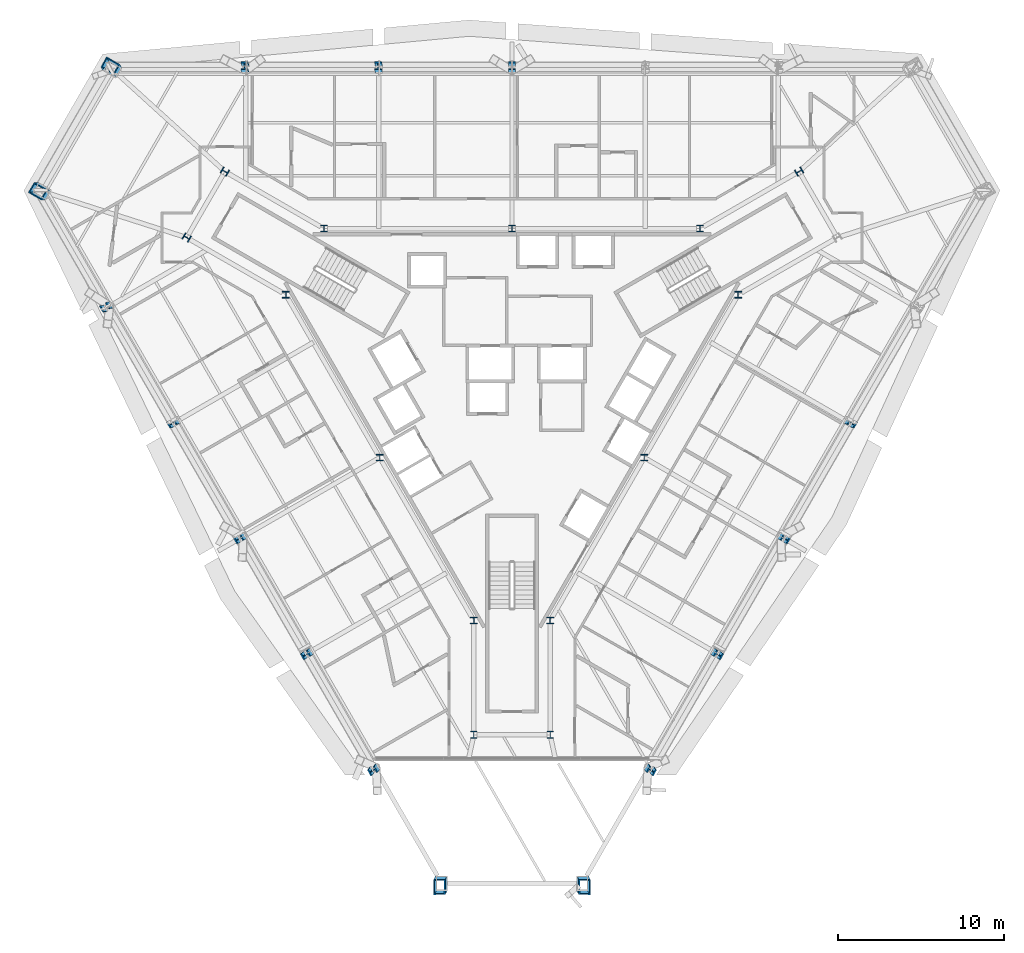
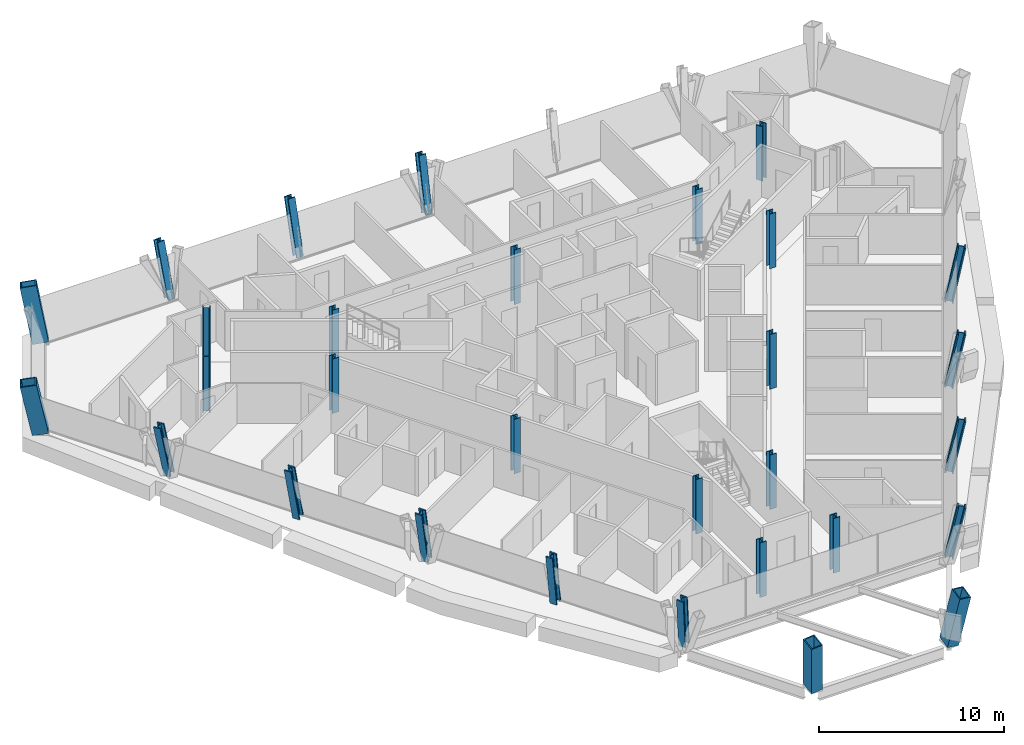
# One storey, part 1 of 15: 30 columns.
"""IFC4 building model written with IfcOpenShell, lengths in metres."""

from ifc_helpers import new_model, si_unit, direction, frame, origin, origin_2d, place, context, subcontext, project, spatial, hollow_rectangle, i_section, extrude, material, material_profile, profile_set, type_object, element, save


model = new_model("IFC4")

# Units and contexts
model_context = context("Model", 3, precision=1e-05, world=origin(), true_north=direction((0.0, 1.0)))
body_context = subcontext(model_context, "Body", "Model", "MODEL_VIEW")
ifc_project = project(units=[si_unit("LENGTHUNIT", "METRE"), si_unit("AREAUNIT", "SQUARE_METRE"), si_unit("VOLUMEUNIT", "CUBIC_METRE"), si_unit("PLANEANGLEUNIT", "RADIAN"), si_unit("MASSUNIT", "GRAM", prefix="KILO")], contexts=[model_context])

# Site, building, storey
site_placement = place(None, origin())
site = spatial("IfcSite", under=ifc_project, at=site_placement, CompositionType="ELEMENT")
building_placement = place(site_placement, origin())
building = spatial("IfcBuilding", under=site, at=building_placement, Name="Verrane Prism Tower", CompositionType="ELEMENT")
storey_placement = place(building_placement, frame((0.0, 0.0, 118.0)))
storey = spatial("IfcBuildingStorey", under=building, at=storey_placement, Name="L28", CompositionType="ELEMENT", Elevation=118.0)

# Columns
ifc_material_1 = material(Name="Steel A992", Category="steel")
ifc_material_profile_1 = material_profile(ifc_material_1, i_section(OverallWidth=0.411376953125, OverallDepth=0.434326171875, WebThickness=0.035888671875, FlangeThickness=0.057373046875, FilletRadius=0.01513671875, at=origin_2d()), Name="W14x311")
ifc_profile_set_1 = profile_set([ifc_material_profile_1], Name="Steel A992")
column_type_1 = type_object("IfcColumnType", Name="Core corner column W14x311", PredefinedType="COLUMN", material=ifc_profile_set_1)
for number, where, z_axis, x_axis, name in (
    (1, (17.300048828125, 12.639892578125, 0.0), (0.0, 0.0, 1.0), (0.5, -0.866025403784, 0.0), "Core corner column CK-NEp L28"),
    (2, (-17.300048828125, 12.639892578125, 0.0), (0.0, 0.0, 1.0), (0.5, 0.866025403784, 0.0), "Core corner column CK-NWm L28"),
    (3, (-19.60009765625, 8.659912109375, 0.0), (0.0, 0.0, 1.0), (0.5, 0.866025403784, 0.0), "Core corner column CK-NWp L28"),
    (4, (-2.300048828125, -21.300048828125, 0.0), (0.0, 0.0, 1.0), (-1.0, 0.0, 0.0), "Core corner column CK-Sm L28"),
    (5, (2.300048828125, -21.300048828125, 0.0), (0.0, 0.0, 1.0), (-1.0, 0.0, 0.0), "Core corner column CK-Sp L28"),
):
    element("IfcColumn", number, at=place(storey_placement, frame(where, z_axis=z_axis, x_axis=x_axis)), inside=storey, type_object=column_type_1, Name=name, PredefinedType="COLUMN", context=body_context, shape_type="SweptSolid", body=[
        extrude(i_section(OverallWidth=0.411376953125, OverallDepth=0.434326171875, WebThickness=0.035888671875, FlangeThickness=0.057373046875, FilletRadius=0.01513671875, at=origin_2d()), origin(), (0.0, 0.0, 1.0), 3.60009765625),
    ])
ifc_material_2 = material(Name="Steel A992", Category="steel")
ifc_material_profile_2 = material_profile(ifc_material_2, i_section(OverallWidth=0.4013671875, OverallDepth=0.398681640625, WebThickness=0.02490234375, FlangeThickness=0.03955078125, FilletRadius=0.01513671875, at=origin_2d()), Name="W14x211")
ifc_profile_set_2 = profile_set([ifc_material_profile_2], Name="Steel A992")
column_type_2 = type_object("IfcColumnType", Name="Core side column W14x211", PredefinedType="COLUMN", material=ifc_profile_set_2)
for number, where, z_axis, x_axis, name in (
    (6, (13.6298828125, 5.219970703125, 0.0), (0.0, 0.0, 1.0), (1.0, 0.0, 0.0), "Core side column CC-NEm L28"),
    (7, (11.330078125, 9.199951171875, 0.0), (0.0, 0.0, 1.0), (1.0, 0.0, 0.0), "Core side column CC-NEp L28"),
    (8, (0.0, 9.199951171875, 0.0), (0.0, 0.0, 1.0), (1.0, 0.0, 0.0), "Core side column CC-N0 L28"),
    (9, (-11.330078125, 9.199951171875, 0.0), (0.0, 0.0, 1.0), (1.0, 0.0, 0.0), "Core side column CC-NWm L28"),
    (10, (-13.6298828125, 5.219970703125, 0.0), (0.0, 0.0, 1.0), (1.0, 0.0, 0.0), "Core side column CC-NWp L28"),
    (11, (-7.969970703125, -4.60009765625, 0.0), (0.0, 0.0, 1.0), (1.0, 0.0, 0.0), "Core side column CC-SW0 L28"),
    (12, (-2.300048828125, -14.419921875, 0.0), (0.0, 0.0, 1.0), (1.0, 0.0, 0.0), "Core side column CC-Sm L28"),
    (13, (2.300048828125, -14.419921875, 0.0), (0.0, 0.0, 1.0), (1.0, 0.0, 0.0), "Core side column CC-Sp L28"),
    (14, (7.969970703125, -4.60009765625, 0.0), (0.0, 0.0, 1.0), (1.0, 0.0, 0.0), "Core side column CC-SE0 L28"),
):
    element("IfcColumn", number, at=place(storey_placement, frame(where, z_axis=z_axis, x_axis=x_axis)), inside=storey, type_object=column_type_2, Name=name, PredefinedType="COLUMN", context=body_context, shape_type="SweptSolid", body=[
        extrude(i_section(OverallWidth=0.4013671875, OverallDepth=0.398681640625, WebThickness=0.02490234375, FlangeThickness=0.03955078125, FilletRadius=0.01513671875, at=origin_2d()), origin(), (0.0, 0.0, 1.0), 3.60009765625),
    ])
ifc_material_3 = material(Name="Steel A572 Grade 50", Category="steel")
ifc_material_profile_3 = material_profile(ifc_material_3, hollow_rectangle(XDim=0.699951171875, YDim=0.89990234375, WallThickness=0.06494140625, at=origin_2d()), Name="BOX 900x700x65")
ifc_profile_set_3 = profile_set([ifc_material_profile_3], Name="Steel A572 Grade 50")
column_type_3 = type_object("IfcColumnType", Name="Megacolumn BOX 900x700x65", PredefinedType="COLUMN", material=ifc_profile_set_3)
column_1_placement = place(storey_placement, frame((-24.078369140625, 18.8046875, 0.074951171875), z_axis=(-0.108418777699, 0.189698332699, 0.975838055834), x_axis=(0.496777298599, 0.860607291206, -0.112104442017)))
element("IfcColumn", 15, at=column_1_placement, inside=storey, type_object=column_type_3, Name="Megacolumn MC-NW.a L28", PredefinedType="COLUMN", context=body_context, shape_type="SweptSolid", body=[
    extrude(hollow_rectangle(XDim=0.699951171875, YDim=0.89990234375, WallThickness=0.06494140625, at=origin_2d()), origin(), (0.0, 0.0, 1.0), 3.535400390625),
])
column_2_placement = place(storey_placement, frame((-28.32666015625, 11.449951171875, 0.074951171875), z_axis=(-0.216915828776, 0.0, 0.976190310967), x_axis=(0.496943295408, 0.860728700036, 0.11042402856)))
element("IfcColumn", 16, at=column_2_placement, inside=storey, type_object=column_type_3, Name="Megacolumn MC-NW.b L28", PredefinedType="COLUMN", context=body_context, shape_type="SweptSolid", body=[
    extrude(hollow_rectangle(XDim=0.699951171875, YDim=0.89990234375, WallThickness=0.06494140625, at=origin_2d()), origin(), (0.0, 0.0, 1.0), 3.5341796875),
])
for number, where, z_axis, x_axis, name in (
    (17, (-4.248291015625, -30.254638671875, 0.074951171875), (-0.108418777699, -0.189698332699, 0.975838055834), (-0.993886167713, 7.3972001e-05, -0.110409601742), "Megacolumn MC-S.a L28"),
    (18, (4.248291015625, -30.254638671875, 0.074951171875), (0.108418777699, -0.189698332699, 0.975838055834), (-0.993886167713, -7.3972001e-05, 0.110409601742), "Megacolumn MC-S.b L28"),
):
    element("IfcColumn", number, at=place(storey_placement, frame(where, z_axis=z_axis, x_axis=x_axis)), inside=storey, type_object=column_type_3, Name=name, PredefinedType="COLUMN", context=body_context, shape_type="SweptSolid", body=[
        extrude(hollow_rectangle(XDim=0.699951171875, YDim=0.89990234375, WallThickness=0.06494140625, at=origin_2d()), origin(), (0.0, 0.0, 1.0), 3.535400390625),
    ])
ifc_material_4 = material(Name="Steel A992", Category="steel")
ifc_material_profile_4 = material_profile(ifc_material_4, i_section(OverallWidth=0.424072265625, OverallDepth=0.47509765625, WebThickness=0.0478515625, FlangeThickness=0.0771484375, FilletRadius=0.014892578125, at=origin_2d()), Name="W14x426")
ifc_profile_set_4 = profile_set([ifc_material_profile_4], Name="Steel A992")
column_type_4 = type_object("IfcColumnType", Name="Perimeter column W14x426", PredefinedType="COLUMN", material=ifc_profile_set_4)
column_3_placement = place(storey_placement, frame((0.0, 18.796875, 0.034912109375), z_axis=(0.0, 0.190838767799, 0.981621395806), x_axis=(1.0, 0.0, 0.0)))
element("IfcColumn", 19, at=column_3_placement, inside=storey, type_object=column_type_4, Name="Perimeter column PC-N3 L28", PredefinedType="COLUMN", context=body_context, shape_type="SweptSolid", body=[
    extrude(i_section(OverallWidth=0.424072265625, OverallDepth=0.47509765625, WebThickness=0.0478515625, FlangeThickness=0.0771484375, FilletRadius=0.014892578125, at=origin_2d()), origin(), (0.0, 0.0, 1.0), 3.59619140625),
])
column_4_placement = place(storey_placement, frame((-8.021484375, 18.7978515625, 0.0400390625), z_axis=(-0.038166775525, 0.190697810689, 0.980906541035), x_axis=(0.999244895172, 0.000136180079, 0.038853840576)))
element("IfcColumn", 20, at=column_4_placement, inside=storey, type_object=column_type_4, Name="Perimeter column PC-N4 L28", PredefinedType="COLUMN", context=body_context, shape_type="SweptSolid", body=[
    extrude(i_section(OverallWidth=0.424072265625, OverallDepth=0.47509765625, WebThickness=0.0478515625, FlangeThickness=0.0771484375, FilletRadius=0.014892578125, at=origin_2d()), origin(), (0.0, 0.0, 1.0), 3.588623046875),
])
column_5_placement = place(storey_placement, frame((-16.04345703125, 18.798583984375, 0.044921875), z_axis=(-0.073403371701, 0.190385739589, 0.978961294017), x_axis=(0.997198693694, -0.000139888166, 0.074798032908)))
element("IfcColumn", 21, at=column_5_placement, inside=storey, type_object=column_type_4, Name="Perimeter column PC-N5 L28", PredefinedType="COLUMN", context=body_context, shape_type="SweptSolid", body=[
    extrude(i_section(OverallWidth=0.424072265625, OverallDepth=0.47509765625, WebThickness=0.0478515625, FlangeThickness=0.0771484375, FilletRadius=0.014892578125, at=origin_2d()), origin(), (0.0, 0.0, 1.0), 3.58544921875),
])
column_6_placement = place(storey_placement, frame((-24.309326171875, 4.49853515625, 0.044921875), z_axis=(-0.20122090252, -0.032617533776, 0.979002678689), x_axis=(-0.49858735319, 0.863700568811, -0.073701958421)))
element("IfcColumn", 22, at=column_6_placement, inside=storey, type_object=column_type_4, Name="Perimeter column PC-SW1 L28", PredefinedType="COLUMN", context=body_context, shape_type="SweptSolid", body=[
    extrude(i_section(OverallWidth=0.424072265625, OverallDepth=0.47509765625, WebThickness=0.0478515625, FlangeThickness=0.0771484375, FilletRadius=0.014892578125, at=origin_2d()), origin(), (0.0, 0.0, 1.0), 3.585205078125),
])
column_7_placement = place(storey_placement, frame((-20.28759765625, -2.45263671875, 0.0400390625), z_axis=(-0.185215942477, -0.062645568498, 0.980699029978), x_axis=(-0.499614093352, 0.865366140596, -0.039079411895)))
element("IfcColumn", 23, at=column_7_placement, inside=storey, type_object=column_type_4, Name="Perimeter column PC-SW2 L28", PredefinedType="COLUMN", context=body_context, shape_type="SweptSolid", body=[
    extrude(i_section(OverallWidth=0.424072265625, OverallDepth=0.47509765625, WebThickness=0.0478515625, FlangeThickness=0.0771484375, FilletRadius=0.014892578125, at=origin_2d()), origin(), (0.0, 0.0, 1.0), 3.58935546875),
])
column_8_placement = place(storey_placement, frame((-16.27587890625, -9.393310546875, 0.034912109375), z_axis=(-0.166300737804, -0.095436260144, 0.981445864455), x_axis=(-0.500069965347, 0.865984846123, -0.000525397431)))
element("IfcColumn", 24, at=column_8_placement, inside=storey, type_object=column_type_4, Name="Perimeter column PC-SW3 L28", PredefinedType="COLUMN", context=body_context, shape_type="SweptSolid", body=[
    extrude(i_section(OverallWidth=0.424072265625, OverallDepth=0.47509765625, WebThickness=0.0478515625, FlangeThickness=0.0771484375, FilletRadius=0.014892578125, at=origin_2d()), origin(), (0.0, 0.0, 1.0), 3.5966796875),
])
column_9_placement = place(storey_placement, frame((-12.26611328125, -16.34521484375, 0.0400390625), z_axis=(-0.147073165168, -0.128025761723, 0.980805224508), x_axis=(-0.499695288695, 0.865366131575, 0.038027316234)))
element("IfcColumn", 25, at=column_9_placement, inside=storey, type_object=column_type_4, Name="Perimeter column PC-SW4 L28", PredefinedType="COLUMN", context=body_context, shape_type="SweptSolid", body=[
    extrude(i_section(OverallWidth=0.424072265625, OverallDepth=0.47509765625, WebThickness=0.0478515625, FlangeThickness=0.0771484375, FilletRadius=0.014892578125, at=origin_2d()), origin(), (0.0, 0.0, 1.0), 3.5888671875),
])
for number, where, z_axis, x_axis, name in (
    (26, (-8.255859375, -23.297119140625, 0.044921875), (-0.127835131108, -0.157801810749, 0.979161257291), (-0.498757070895, 0.863572127983, 0.07405784228), "Perimeter column PC-SW5 L28"),
    (27, (8.255859375, -23.297119140625, 0.044921875), (0.127835131108, -0.157801810749, 0.979161257291), (-0.498757070895, -0.863572127983, -0.07405784228), "Perimeter column PC-SE1 L28"),
):
    element("IfcColumn", number, at=place(storey_placement, frame(where, z_axis=z_axis, x_axis=x_axis)), inside=storey, type_object=column_type_4, Name=name, PredefinedType="COLUMN", context=body_context, shape_type="SweptSolid", body=[
        extrude(i_section(OverallWidth=0.424072265625, OverallDepth=0.47509765625, WebThickness=0.0478515625, FlangeThickness=0.0771484375, FilletRadius=0.014892578125, at=origin_2d()), origin(), (0.0, 0.0, 1.0), 3.584716796875),
    ])
column_10_placement = place(storey_placement, frame((12.26611328125, -16.34521484375, 0.0400390625), z_axis=(0.147073165168, -0.128025761723, 0.980805224508), x_axis=(-0.499695288695, -0.865366131575, -0.038027316234)))
element("IfcColumn", 28, at=column_10_placement, inside=storey, type_object=column_type_4, Name="Perimeter column PC-SE2 L28", PredefinedType="COLUMN", context=body_context, shape_type="SweptSolid", body=[
    extrude(i_section(OverallWidth=0.424072265625, OverallDepth=0.47509765625, WebThickness=0.0478515625, FlangeThickness=0.0771484375, FilletRadius=0.014892578125, at=origin_2d()), origin(), (0.0, 0.0, 1.0), 3.5888671875),
])
column_11_placement = place(storey_placement, frame((16.27587890625, -9.393310546875, 0.034912109375), z_axis=(0.166300737804, -0.095436260144, 0.981445864455), x_axis=(-0.500069965347, -0.865984846123, 0.000525397431)))
element("IfcColumn", 29, at=column_11_placement, inside=storey, type_object=column_type_4, Name="Perimeter column PC-SE3 L28", PredefinedType="COLUMN", context=body_context, shape_type="SweptSolid", body=[
    extrude(i_section(OverallWidth=0.424072265625, OverallDepth=0.47509765625, WebThickness=0.0478515625, FlangeThickness=0.0771484375, FilletRadius=0.014892578125, at=origin_2d()), origin(), (0.0, 0.0, 1.0), 3.5966796875),
])
column_12_placement = place(storey_placement, frame((20.28759765625, -2.45263671875, 0.0400390625), z_axis=(0.185215942477, -0.062645568498, 0.980699029978), x_axis=(-0.499614093352, -0.865366140596, 0.039079411895)))
element("IfcColumn", 30, at=column_12_placement, inside=storey, type_object=column_type_4, Name="Perimeter column PC-SE4 L28", PredefinedType="COLUMN", context=body_context, shape_type="SweptSolid", body=[
    extrude(i_section(OverallWidth=0.424072265625, OverallDepth=0.47509765625, WebThickness=0.0478515625, FlangeThickness=0.0771484375, FilletRadius=0.014892578125, at=origin_2d()), origin(), (0.0, 0.0, 1.0), 3.58935546875),
])

save(model, "model.ifc")
